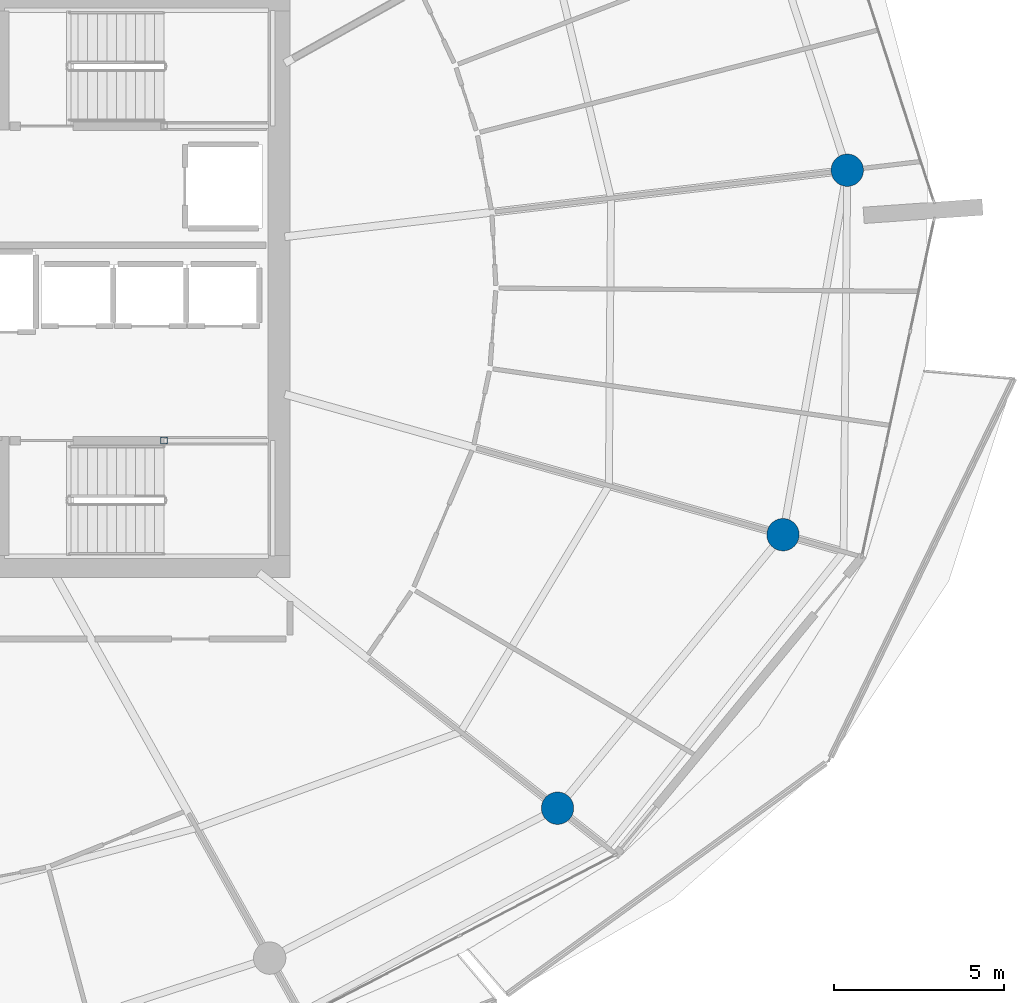
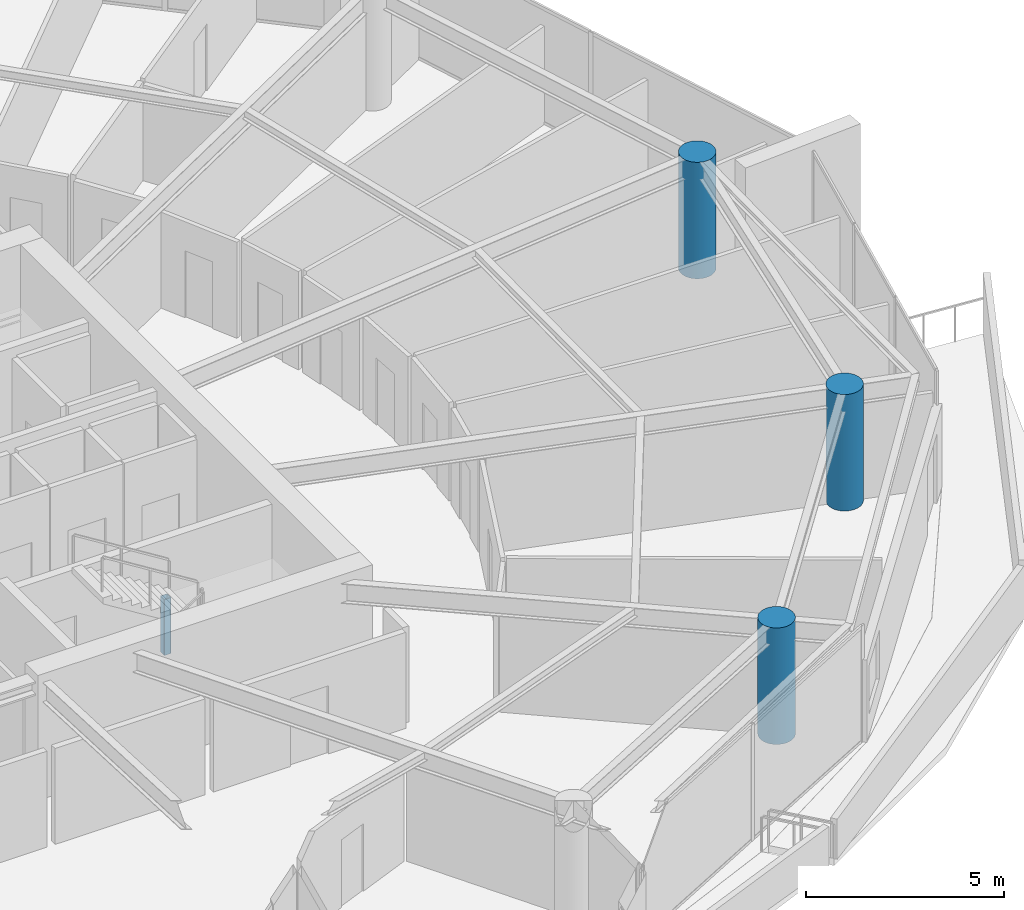
# One storey, part 3 of 30: 4 columns.
"""IFC4 building model written with IfcOpenShell, lengths in metres."""

from ifc_helpers import new_model, si_unit, direction, frame, origin, origin_2d, place, context, subcontext, project, spatial, hollow_rectangle, circle, extrude, material, material_profile, profile_set, type_object, element, save


model = new_model("IFC4")

# Units and contexts
model_context = context("Model", 3, precision=1e-05, world=origin(), true_north=direction((0.0, 1.0)))
body_context = subcontext(model_context, "Body", "Model", "MODEL_VIEW")
ifc_project = project(units=[si_unit("LENGTHUNIT", "METRE"), si_unit("AREAUNIT", "SQUARE_METRE"), si_unit("VOLUMEUNIT", "CUBIC_METRE"), si_unit("PLANEANGLEUNIT", "RADIAN"), si_unit("MASSUNIT", "GRAM", prefix="KILO")], contexts=[model_context])

# Site, building, storey
site_placement = place(None, origin())
site = spatial("IfcSite", under=ifc_project, at=site_placement, CompositionType="ELEMENT")
building_placement = place(site_placement, origin())
building = spatial("IfcBuilding", under=site, at=building_placement, Name="Kazma Halo Residences", CompositionType="ELEMENT")
storey_placement = place(building_placement, frame((0.0, 0.0, 244.39990234375)))
storey = spatial("IfcBuildingStorey", under=building, at=storey_placement, Name="L61", CompositionType="ELEMENT", Elevation=244.39990234375)

# Columns
ifc_material_1 = material(Name="Steel S355", Category="steel")
ifc_material_profile_1 = material_profile(ifc_material_1, hollow_rectangle(XDim=0.199951171875, YDim=0.199951171875, WallThickness=0.010009765625, InnerFilletRadius=0.010009765625, OuterFilletRadius=0.02001953125, at=origin_2d()), Name="SHS200x200x10")
ifc_profile_set_1 = profile_set([ifc_material_profile_1], Name="Steel S355")
column_type_1 = type_object("IfcColumnType", Name="COL-LP-SHS200", PredefinedType="COLUMN", material=ifc_profile_set_1)
column_placement = place(storey_placement, frame((56.0, 37.3798828125, 0.0), z_axis=(0.0, 0.0, 1.0), x_axis=(1.0, 0.0, 0.0)))
element("IfcColumn", 1, at=column_placement, inside=storey, type_object=column_type_1, Name="L61 ST-03 landing pilaster 1", PredefinedType="COLUMN", context=body_context, shape_type="SweptSolid", body=[
    extrude(hollow_rectangle(XDim=0.199951171875, YDim=0.199951171875, WallThickness=0.010009765625, InnerFilletRadius=0.010009765625, OuterFilletRadius=0.02001953125, at=origin_2d()), origin(), (0.0, 0.0, 1.0), 1.72021484375),
])
ifc_material_2 = material(Name="Concrete C60/75", Category="concrete")
ifc_material_profile_2 = material_profile(ifc_material_2, circle(Radius=0.47509765625, at=origin_2d()), Name="CIRC950")
ifc_profile_set_2 = profile_set([ifc_material_profile_2], Name="Concrete C60/75")
column_type_2 = type_object("IfcColumnType", Name="COL-PERIM-950", PredefinedType="COLUMN", material=ifc_profile_set_2)
for number, where, z_axis, x_axis, name in (
    (2, (67.566162109375, 26.5751953125, 0.0), (0.0, 0.0, 1.0), (1.0, 0.0, 0.0), "L61 perimeter ring column P14"),
    (3, (74.19091796875, 34.61328125, 0.0), (0.0, 0.0, 1.0), (1.0, 0.0, 0.0), "L61 perimeter ring column P15"),
    (4, (76.07958984375, 45.323486328125, 0.0), (0.0, 0.0, 1.0), (1.0, 0.0, 0.0), "L61 perimeter ring column P16"),
):
    element("IfcColumn", number, at=place(storey_placement, frame(where, z_axis=z_axis, x_axis=x_axis)), inside=storey, type_object=column_type_2, Name=name, PredefinedType="COLUMN", context=body_context, shape_type="SweptSolid", body=[
        extrude(circle(Radius=0.47509765625, at=origin_2d()), origin(), (0.0, 0.0, 1.0), 3.590087890625),
    ])

save(model, "model.ifc")
